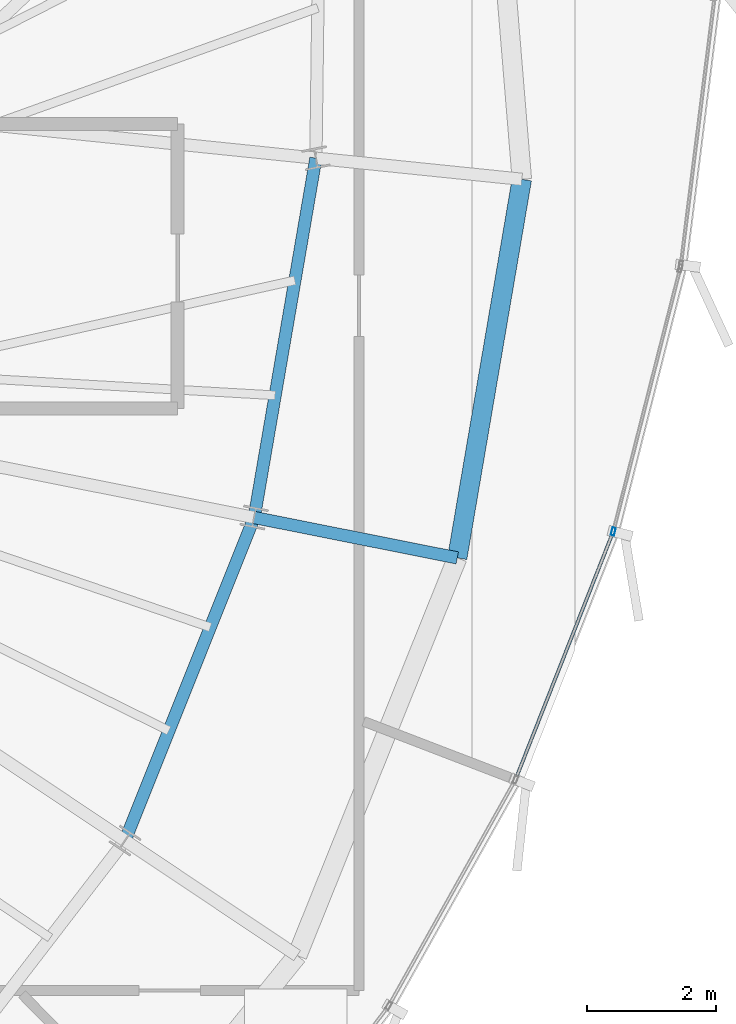
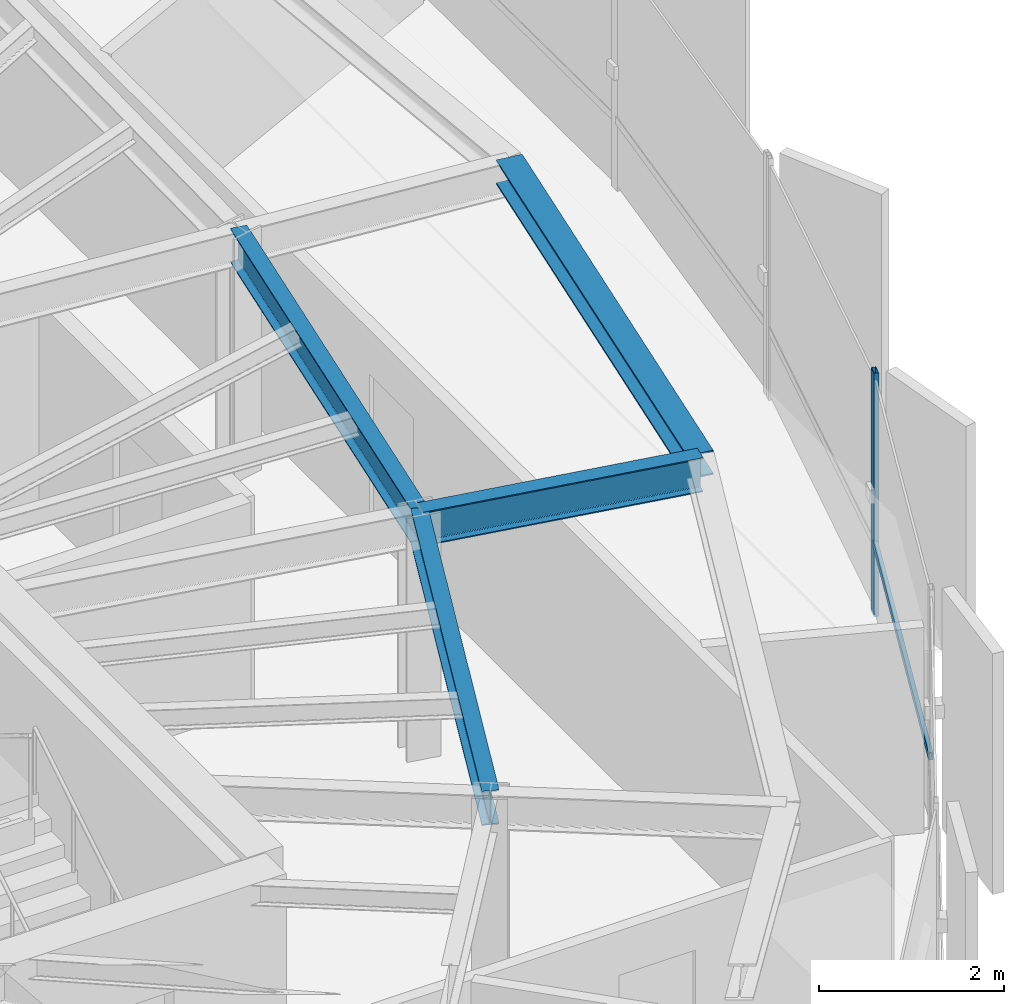
# One storey, part 14 of 34: 4 beams, 2 members, 1 element without a shape of its own.
"""IFC4 building model written with IfcOpenShell, lengths in metres."""

from ifc_helpers import new_model, si_unit, direction, frame, origin, origin_2d, place, context, subcontext, project, spatial, hollow_rectangle, i_section, extrude, source, transform, mapped, material, layer, layer_set, material_profile, profile_set, type_object, element, aggregate, save


model = new_model("IFC4")

# Units and contexts
model_context = context("Model", 3, precision=1e-05, world=origin(), true_north=direction((0.0, 1.0)))
body_context = subcontext(model_context, "Body", "Model", "MODEL_VIEW")
ifc_project = project(units=[si_unit("LENGTHUNIT", "METRE"), si_unit("AREAUNIT", "SQUARE_METRE"), si_unit("VOLUMEUNIT", "CUBIC_METRE"), si_unit("PLANEANGLEUNIT", "RADIAN"), si_unit("MASSUNIT", "GRAM", prefix="KILO"), si_unit("THERMODYNAMICTEMPERATUREUNIT", "KELVIN")], contexts=[model_context])

# Site, building, storey
site_placement = place(None, origin())
site = spatial("IfcSite", under=ifc_project, at=site_placement, CompositionType="ELEMENT")
building_placement = place(site_placement, origin())
building = spatial("IfcBuilding", under=site, at=building_placement, Name="Kethvar Cultural Tower", CompositionType="ELEMENT")
storey_placement = place(building_placement, frame((0.0, 0.0, 262.89990234375)))
storey = spatial("IfcBuildingStorey", under=building, at=storey_placement, Name="L69", CompositionType="ELEMENT", Elevation=262.89990234375)

# Beams
ifc_material_1 = material(Name="Steel S355J2", Category="steel")
ifc_material_profile_1 = material_profile(ifc_material_1, i_section(OverallWidth=0.18994140625, OverallDepth=0.449951171875, WebThickness=0.009521484375, FlangeThickness=0.0146484375, FilletRadius=0.02099609375, at=origin_2d()), Name="Steel S355J2 — IPE450")
ifc_profile_set_1 = profile_set([ifc_material_profile_1], Name="Steel S355J2 — IPE450")
beam_type_1 = type_object("IfcBeamType", Name="BM-IPE450", PredefinedType="BEAM", material=ifc_profile_set_1)
shared_shape_1 = source(origin(), body_context, "Body", "SweptSolid", [
    extrude(i_section(OverallWidth=0.18994140625, OverallDepth=0.449951171875, WebThickness=0.009521484375, FlangeThickness=0.0146484375, FilletRadius=0.02099609375, at=origin_2d()), origin(), (0.0, 0.0, 1.0), 3.199951171875),
])
beam_1_placement = place(storey_placement, frame((60.28369140625, 25.117919921875, 2.983154296875), z_axis=(0.980785550224, -0.195088965533, 0.0), x_axis=(0.195088965533, 0.980785550224, 0.0)))
element("IfcBeam", 1, at=beam_1_placement, inside=storey, type_object=beam_type_1, Name="L69 Perimeter Cantilever Beam RC-16", PredefinedType="BEAM", context=body_context, shape_type="MappedRepresentation", body=[
    mapped(shared_shape_1, transform((0.0, 0.0, 0.0), scale=1.0)),
])
shared_shape_2 = source(origin(), body_context, "Body", "SweptSolid", [
    extrude(i_section(OverallWidth=0.18994140625, OverallDepth=0.449951171875, WebThickness=0.009521484375, FlangeThickness=0.0146484375, FilletRadius=0.02099609375, at=origin_2d()), origin(), (0.0, 0.0, 1.0), 5.377685546875),
])
beam_2_placement = place(storey_placement, frame((58.287109375, 20.12451171875, 2.983154296875), z_axis=(0.371265436914, 0.928526776864, 0.0), x_axis=(-0.928526776864, 0.371265436914, 0.0)))
element("IfcBeam", 2, at=beam_2_placement, inside=storey, type_object=beam_type_1, Name="L69 Column Ring Tie Beam CR-15", PredefinedType="BEAM", context=body_context, shape_type="MappedRepresentation", body=[
    mapped(shared_shape_2, transform((0.0, 0.0, 0.0), scale=1.0)),
])
shared_shape_3 = source(origin(), body_context, "Body", "SweptSolid", [
    extrude(i_section(OverallWidth=0.18994140625, OverallDepth=0.449951171875, WebThickness=0.009521484375, FlangeThickness=0.0146484375, FilletRadius=0.02099609375, at=origin_2d()), origin(), (0.0, 0.0, 1.0), 5.635009765625),
])
beam_3_placement = place(storey_placement, frame((60.28369140625, 25.117919921875, 2.983154296875), z_axis=(0.169188687614, 0.985583678834, 0.0), x_axis=(-0.985583678834, 0.169188687614, 0.0)))
element("IfcBeam", 3, at=beam_3_placement, inside=storey, type_object=beam_type_1, Name="L69 Column Ring Tie Beam CR-16", PredefinedType="BEAM", context=body_context, shape_type="MappedRepresentation", body=[
    mapped(shared_shape_3, transform((0.0, 0.0, 0.0), scale=1.0)),
])
ifc_material_profile_2 = material_profile(ifc_material_1, i_section(OverallWidth=0.300048828125, OverallDepth=0.320068359375, WebThickness=0.011474609375, FlangeThickness=0.0205078125, FilletRadius=0.027099609375, at=origin_2d()), Name="Steel S355J2 — HEB320")
ifc_profile_set_2 = profile_set([ifc_material_profile_2], Name="Steel S355J2 — HEB320")
beam_type_2 = type_object("IfcBeamType", Name="BM-SP320", PredefinedType="SPANDREL", material=ifc_profile_set_2)
shared_shape_4 = source(origin(), body_context, "Body", "SweptSolid", [
    extrude(i_section(OverallWidth=0.300048828125, OverallDepth=0.320068359375, WebThickness=0.011474609375, FlangeThickness=0.0205078125, FilletRadius=0.027099609375, at=origin_2d()), origin(), (0.0, 0.0, 1.0), 5.93603515625),
])
beam_4_placement = place(storey_placement, frame((63.422119140625, 24.49365234375, 3.048095703125), z_axis=(0.16817267321, 0.985757552335, 0.0), x_axis=(-0.985757552335, 0.16817267321, 0.0)))
element("IfcBeam", 4, at=beam_4_placement, inside=storey, type_object=beam_type_2, Name="L69 Perimeter Spandrel Beam SP-16", PredefinedType="SPANDREL", context=body_context, shape_type="MappedRepresentation", body=[
    mapped(shared_shape_4, transform((0.0, 0.0, 0.0), scale=1.0)),
])

# Curtain wall, members
ifc_material_2 = material(Name="Aluminium 6063-T6", Category="aluminium")
ifc_layer = layer(ifc_material_2, 0.179931640625, Name="Aluminium 6063-T6", Category="aluminium")
ifc_layer_set = layer_set([ifc_layer], Name="Aluminium 6063-T6 (180 mm)")
curtain_wall_type = type_object("IfcCurtainWallType", Name="CW-SYS-05-Z56", PredefinedType="NOTDEFINED", material=ifc_layer_set)
curtain_wall_placement = place(storey_placement, origin())
curtain_wall = element("IfcCurtainWall", 5, at=curtain_wall_placement, inside=storey, type_object=curtain_wall_type, Name="L69 Curtain Wall Run 05", PredefinedType="NOTDEFINED")
ifc_material_profile_3 = material_profile(ifc_material_2, hollow_rectangle(XDim=0.054931640625, YDim=0.1201171875, WallThickness=0.00390625, at=origin_2d()), Name="Aluminium 6063-T6 — RHS120x55x4")
ifc_profile_set_3 = profile_set([ifc_material_profile_3], Name="Aluminium 6063-T6 — RHS120x55x4")
member_type_1 = type_object("IfcMemberType", Name="CW-SYS-05-Z56-MUL", PredefinedType="MULLION", material=ifc_profile_set_3)
shared_shape_5 = source(origin(), body_context, "Body", "SweptSolid", [
    extrude(hollow_rectangle(XDim=0.054931640625, YDim=0.1201171875, WallThickness=0.00390625, at=origin_2d()), origin(), (0.0, 0.0, 1.0), 3.210205078125),
])
member_1_placement = place(storey_placement, frame((65.83349609375, 24.899658203125, 0.0), z_axis=(0.0, 0.0, 1.0), x_axis=(-0.969157831893, 0.24644085879, 0.0)))
member_1 = element("IfcMember", 6, at=member_1_placement, type_object=member_type_1, Name="CW-L69-R05 Mullion 6", PredefinedType="MULLION", context=body_context, shape_type="MappedRepresentation", body=[
    mapped(shared_shape_5, transform((0.0, 0.0, 0.0), scale=1.0)),
])
ifc_material_profile_4 = material_profile(ifc_material_2, hollow_rectangle(XDim=0.050048828125, YDim=0.10009765625, WallThickness=0.00390625, at=origin_2d()), Name="Aluminium 6063-T6 — RHS100x50x4")
ifc_profile_set_4 = profile_set([ifc_material_profile_4], Name="Aluminium 6063-T6 — RHS100x50x4")
member_type_2 = type_object("IfcMemberType", Name="CW-SYS-05-Z56-TRN", PredefinedType="USERDEFINED", material=ifc_profile_set_4)
shared_shape_6 = source(origin(), body_context, "Body", "SweptSolid", [
    extrude(hollow_rectangle(XDim=0.050048828125, YDim=0.10009765625, WallThickness=0.00390625, at=origin_2d()), origin(), (0.0, 0.0, 1.0), 4.054931640625),
])
member_2_placement = place(storey_placement, frame((64.336181640625, 21.102294921875, 0.9501953125), z_axis=(0.366672978266, 0.930349894937, 0.0), x_axis=(-0.930349894937, 0.366672978266, 0.0)))
member_2 = element("IfcMember", 7, at=member_2_placement, type_object=member_type_2, Name="CW-L69-R05 Transom 5", ObjectType="TRANSOM", PredefinedType="USERDEFINED", context=body_context, shape_type="MappedRepresentation", body=[
    mapped(shared_shape_6, transform((0.0, 0.0, 0.0), scale=1.0)),
])
aggregate(curtain_wall, [member_1, member_2])

save(model, "model.ifc")
